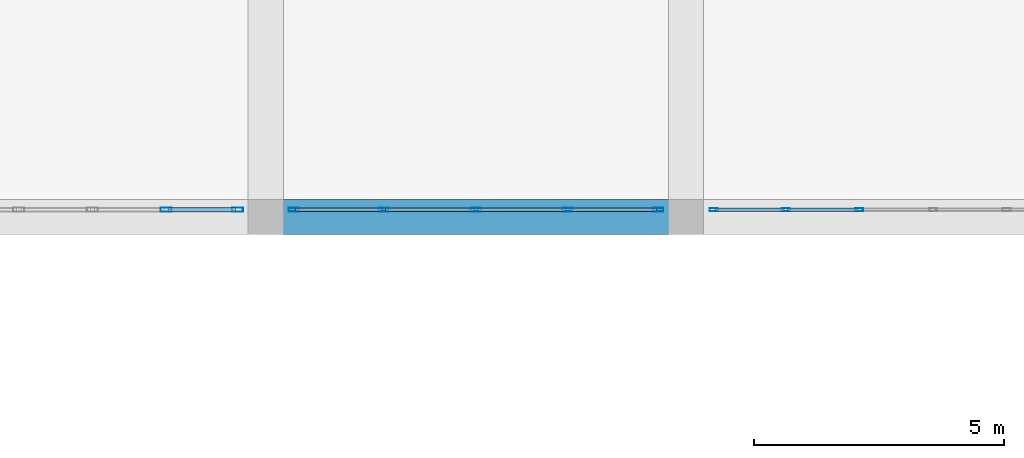
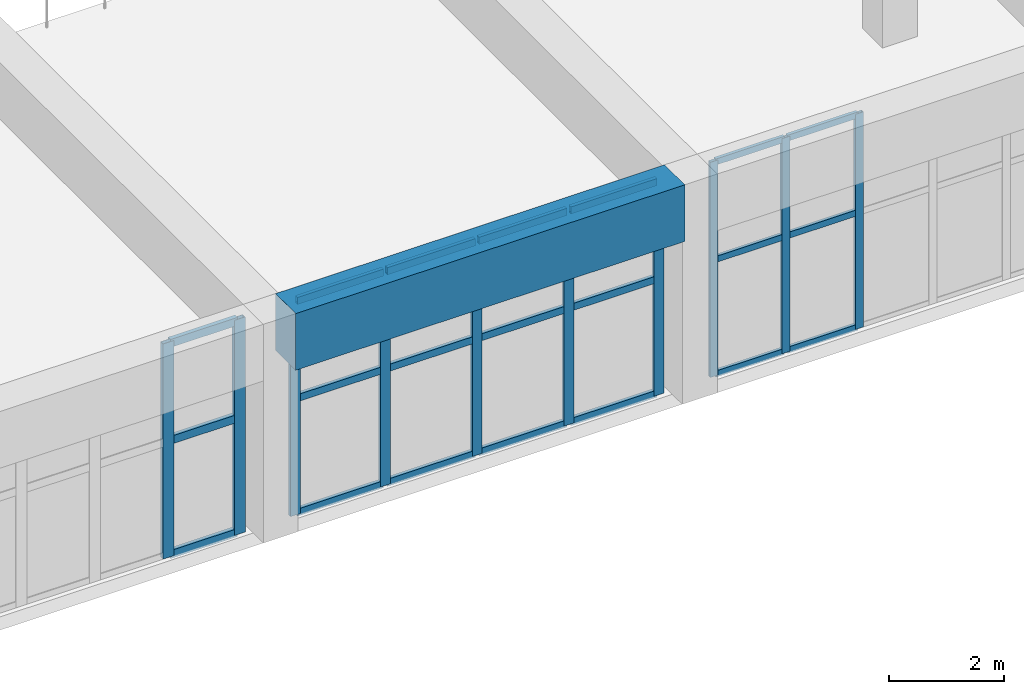
# One storey, part 18 of 72: 31 members, 1 beam, 3 elements without a shape of their own.
"""IFC4 building model written with IfcOpenShell, lengths in metres."""

from ifc_helpers import new_model, si_unit, direction, frame, origin, origin_2d, place, context, subcontext, project, spatial, rectangle, hollow_rectangle, extrude, material, layer, layer_set, material_profile, profile_set, type_object, element, aggregate, save


model = new_model("IFC4")

# Units and contexts
model_context = context("Model", 3, precision=1e-05, world=origin(), true_north=direction((0.0, 1.0)))
body_context = subcontext(model_context, "Body", "Model", "MODEL_VIEW")
ifc_project = project(units=[si_unit("LENGTHUNIT", "METRE"), si_unit("AREAUNIT", "SQUARE_METRE"), si_unit("VOLUMEUNIT", "CUBIC_METRE"), si_unit("PLANEANGLEUNIT", "RADIAN"), si_unit("MASSUNIT", "GRAM", prefix="KILO")], contexts=[model_context])

# Site, building, storey
site_placement = place(None, origin())
site = spatial("IfcSite", under=ifc_project, at=site_placement, CompositionType="ELEMENT")
building_placement = place(site_placement, origin())
building = spatial("IfcBuilding", under=site, at=building_placement, Name="Xicomal Pleat Aquarium", CompositionType="ELEMENT")
storey_placement = place(building_placement, frame((0.0, 0.0, 10.5)))
storey = spatial("IfcBuildingStorey", under=building, at=storey_placement, Name="L03", CompositionType="ELEMENT", Elevation=10.5)

# Beam
ifc_material_1 = material(Name="Concrete C45/55", Category="concrete")
ifc_material_profile_1 = material_profile(ifc_material_1, rectangle(XDim=0.699951171875, YDim=1.199951171875, at=origin_2d()), Name="RC 700x1200")
ifc_profile_set_1 = profile_set([ifc_material_profile_1], Name="Concrete C45/55")
beam_type = type_object("IfcBeamType", Name="BM-RC-700x1200", PredefinedType="SPANDREL", material=ifc_profile_set_1)
beam_placement = place(storey_placement, frame((69.300048828125, 30.39990234375, 4.034912109375), z_axis=(1.0, 0.0, 0.0), x_axis=(0.0, 1.0, 0.0)))
element("IfcBeam", 1, at=beam_placement, inside=storey, type_object=beam_type, Name="Ocean hall shell edge girder 09-10/E", PredefinedType="SPANDREL", context=body_context, shape_type="SweptSolid", body=[
    extrude(rectangle(XDim=0.699951171875, YDim=1.199951171875, at=origin_2d()), origin(), (0.0, 0.0, 1.0), 7.800048828125),
])

# Curtain wall, members
ifc_material_2 = material(Name="Bronze anodized aluminium 6063-T6", Category="aluminium")
ifc_layer_1 = layer(ifc_material_2, 0.159912109375)
ifc_layer_set_1 = layer_set([ifc_layer_1], Name="Bronze anodized aluminium 6063-T6")
curtain_wall_type_1 = type_object("IfcCurtainWallType", Name="CW-SYS-03", PredefinedType="NOTDEFINED", material=ifc_layer_set_1)
curtain_wall_1_placement = place(storey_placement, origin())
curtain_wall_1 = element("IfcCurtainWall", 2, at=curtain_wall_1_placement, inside=storey, type_object=curtain_wall_type_1, Name="L03 unitised curtain wall CW-L03-165", PredefinedType="NOTDEFINED")
ifc_material_3 = material(Name="Bronze anodized aluminium 6063-T6", Category="aluminium")
ifc_material_profile_2 = material_profile(ifc_material_3, hollow_rectangle(XDim=0.06494140625, YDim=0.159912109375, WallThickness=0.00390625, at=origin_2d()), Name="ALU MULL 65x160")
ifc_profile_set_2 = profile_set([ifc_material_profile_2], Name="Bronze anodized aluminium 6063-T6")
member_type_1 = type_object("IfcMemberType", Name="CWM-65x160", PredefinedType="MULLION", material=ifc_profile_set_2)
member_1_placement = place(storey_placement, frame((80.864013671875, 30.5400390625, 0.0), z_axis=(0.0, 0.0, 1.0), x_axis=(0.0, -1.0, 0.0)))
member_1 = element("IfcMember", 3, at=member_1_placement, type_object=member_type_1, Name="CW-03 mullion 4", PredefinedType="MULLION", context=body_context, shape_type="SweptSolid", body=[
    extrude(hollow_rectangle(XDim=0.06494140625, YDim=0.159912109375, WallThickness=0.00390625, at=origin_2d()), origin(), (0.0, 0.0, 1.0), 4.56005859375),
])
member_2_placement = place(storey_placement, frame((79.39208984375, 30.5400390625, 0.0), z_axis=(0.0, 0.0, 1.0), x_axis=(0.0, -1.0, 0.0)))
member_2 = element("IfcMember", 4, at=member_2_placement, type_object=member_type_1, Name="CW-03 mullion 5", PredefinedType="MULLION", context=body_context, shape_type="SweptSolid", body=[
    extrude(hollow_rectangle(XDim=0.06494140625, YDim=0.159912109375, WallThickness=0.00390625, at=origin_2d()), origin(), (0.0, 0.0, 1.0), 4.56005859375),
])
member_3_placement = place(storey_placement, frame((77.952392578125, 30.5400390625, 0.0), z_axis=(0.0, 0.0, 1.0), x_axis=(0.0, -1.0, 0.0)))
member_3 = element("IfcMember", 5, at=member_3_placement, type_object=member_type_1, Name="CW-03 mullion 6", PredefinedType="MULLION", context=body_context, shape_type="SweptSolid", body=[
    extrude(hollow_rectangle(XDim=0.06494140625, YDim=0.159912109375, WallThickness=0.00390625, at=origin_2d()), origin(), (0.0, 0.0, 1.0), 4.56005859375),
])

ifc_material_4 = material(Name="Bronze anodized aluminium 6063-T6", Category="aluminium")
ifc_layer_2 = layer(ifc_material_4, 0.159912109375)
ifc_layer_set_2 = layer_set([ifc_layer_2], Name="Bronze anodized aluminium 6063-T6")
curtain_wall_type_2 = type_object("IfcCurtainWallType", Name="CW-SYS-08", PredefinedType="NOTDEFINED", material=ifc_layer_set_2)
curtain_wall_2_placement = place(storey_placement, origin())
curtain_wall_2 = element("IfcCurtainWall", 6, at=curtain_wall_2_placement, inside=storey, type_object=curtain_wall_type_2, Name="L03 unitised curtain wall CW-L03-166", PredefinedType="NOTDEFINED")
ifc_material_5 = material(Name="Bronze anodized aluminium 6063-T6", Category="aluminium")
ifc_material_profile_3 = material_profile(ifc_material_5, hollow_rectangle(XDim=0.074951171875, YDim=0.199951171875, WallThickness=0.00439453125, at=origin_2d()), Name="ALU MULL 75x200")
ifc_profile_set_3 = profile_set([ifc_material_profile_3], Name="Bronze anodized aluminium 6063-T6")
member_type_2 = type_object("IfcMemberType", Name="CWM-75x200", PredefinedType="MULLION", material=ifc_profile_set_3)
member_4_placement = place(storey_placement, frame((76.842529296875, 30.5400390625, 0.0), z_axis=(0.0, 0.0, 1.0), x_axis=(0.0, -1.0, 0.0)))
member_4 = element("IfcMember", 7, at=member_4_placement, type_object=member_type_2, Name="CW-08 mullion 1", PredefinedType="MULLION", context=body_context, shape_type="SweptSolid", body=[
    extrude(hollow_rectangle(XDim=0.074951171875, YDim=0.199951171875, WallThickness=0.00439453125, at=origin_2d()), origin(), (0.0, 0.0, 1.0), 4.56005859375),
])
member_5_placement = place(storey_placement, frame((75.0400390625, 30.5400390625, 0.0), z_axis=(0.0, 0.0, 1.0), x_axis=(0.0, -1.0, 0.0)))
member_5 = element("IfcMember", 8, at=member_5_placement, type_object=member_type_2, Name="CW-08 mullion 2", PredefinedType="MULLION", context=body_context, shape_type="SweptSolid", body=[
    extrude(hollow_rectangle(XDim=0.074951171875, YDim=0.199951171875, WallThickness=0.00439453125, at=origin_2d()), origin(), (0.0, 0.0, 1.0), 4.56005859375),
])
member_6_placement = place(storey_placement, frame((73.199951171875, 30.5400390625, 0.0), z_axis=(0.0, 0.0, 1.0), x_axis=(0.0, -1.0, 0.0)))
member_6 = element("IfcMember", 9, at=member_6_placement, type_object=member_type_2, Name="CW-08 mullion 3", PredefinedType="MULLION", context=body_context, shape_type="SweptSolid", body=[
    extrude(hollow_rectangle(XDim=0.074951171875, YDim=0.199951171875, WallThickness=0.00439453125, at=origin_2d()), origin(), (0.0, 0.0, 1.0), 4.56005859375),
])
member_7_placement = place(storey_placement, frame((71.360107421875, 30.5400390625, 0.0), z_axis=(0.0, 0.0, 1.0), x_axis=(0.0, -1.0, 0.0)))
member_7 = element("IfcMember", 10, at=member_7_placement, type_object=member_type_2, Name="CW-08 mullion 4", PredefinedType="MULLION", context=body_context, shape_type="SweptSolid", body=[
    extrude(hollow_rectangle(XDim=0.074951171875, YDim=0.199951171875, WallThickness=0.00439453125, at=origin_2d()), origin(), (0.0, 0.0, 1.0), 4.56005859375),
])
member_8_placement = place(storey_placement, frame((69.5576171875, 30.5400390625, 0.0), z_axis=(0.0, 0.0, 1.0), x_axis=(0.0, -1.0, 0.0)))
member_8 = element("IfcMember", 11, at=member_8_placement, type_object=member_type_2, Name="CW-08 mullion 5", PredefinedType="MULLION", context=body_context, shape_type="SweptSolid", body=[
    extrude(hollow_rectangle(XDim=0.074951171875, YDim=0.199951171875, WallThickness=0.00439453125, at=origin_2d()), origin(), (0.0, 0.0, 1.0), 4.56005859375),
])

curtain_wall_3_placement = place(storey_placement, origin())
curtain_wall_3 = element("IfcCurtainWall", 12, at=curtain_wall_3_placement, inside=storey, type_object=curtain_wall_type_1, Name="L03 unitised curtain wall CW-L03-167", PredefinedType="NOTDEFINED")
ifc_material_6 = material(Name="Bronze anodized aluminium 6063-T6", Category="aluminium")
ifc_material_profile_4 = material_profile(ifc_material_6, hollow_rectangle(XDim=0.0849609375, YDim=0.219970703125, WallThickness=0.0048828125, at=origin_2d()), Name="ALU MULL 85x220")
ifc_profile_set_4 = profile_set([ifc_material_profile_4], Name="Bronze anodized aluminium 6063-T6")
member_type_3 = type_object("IfcMemberType", Name="CWM-85x220", PredefinedType="MULLION", material=ifc_profile_set_4)
member_9_placement = place(storey_placement, frame((68.4375, 30.5400390625, 0.0), z_axis=(0.0, 0.0, 1.0), x_axis=(0.0, -1.0, 0.0)))
member_9 = element("IfcMember", 13, at=member_9_placement, type_object=member_type_3, Name="CW-03 mullion 1", PredefinedType="MULLION", context=body_context, shape_type="SweptSolid", body=[
    extrude(hollow_rectangle(XDim=0.0849609375, YDim=0.219970703125, WallThickness=0.0048828125, at=origin_2d()), origin(), (0.0, 0.0, 1.0), 4.56005859375),
])
member_10_placement = place(storey_placement, frame((67.008056640625, 30.5400390625, 0.0), z_axis=(0.0, 0.0, 1.0), x_axis=(0.0, -1.0, 0.0)))
member_10 = element("IfcMember", 14, at=member_10_placement, type_object=member_type_3, Name="CW-03 mullion 2", PredefinedType="MULLION", context=body_context, shape_type="SweptSolid", body=[
    extrude(hollow_rectangle(XDim=0.0849609375, YDim=0.219970703125, WallThickness=0.0048828125, at=origin_2d()), origin(), (0.0, 0.0, 1.0), 4.56005859375),
])

# Member
ifc_material_7 = material(Name="Bronze anodized aluminium 6063-T6", Category="aluminium")
ifc_material_profile_5 = material_profile(ifc_material_7, hollow_rectangle(XDim=0.06494140625, YDim=0.1298828125, WallThickness=0.00390625, at=origin_2d()), Name="ALU TRAN 65x130")
ifc_profile_set_5 = profile_set([ifc_material_profile_5], Name="Bronze anodized aluminium 6063-T6")
member_type_4 = type_object("IfcMemberType", Name="CWT-65x130", PredefinedType="USERDEFINED", material=ifc_profile_set_5)
member_11_placement = place(storey_placement, frame((80.83154296875, 30.5400390625, 0.032470703125), z_axis=(-1.0, 0.0, 0.0), x_axis=(0.0, -1.0, 0.0)))
member_11 = element("IfcMember", 15, at=member_11_placement, type_object=member_type_4, Name="CW-03 transom 4.1", ObjectType="TRANSOM", PredefinedType="USERDEFINED", context=body_context, shape_type="SweptSolid", body=[
    extrude(hollow_rectangle(XDim=0.06494140625, YDim=0.1298828125, WallThickness=0.00390625, at=origin_2d()), origin(), (0.0, 0.0, 1.0), 1.406982421875),
])

member_12_placement = place(storey_placement, frame((80.83154296875, 30.5400390625, 2.4619140625), z_axis=(-1.0, 0.0, 0.0), x_axis=(0.0, -1.0, 0.0)))
member_12 = element("IfcMember", 16, at=member_12_placement, type_object=member_type_4, Name="CW-03 transom 4.2", ObjectType="TRANSOM", PredefinedType="USERDEFINED", context=body_context, shape_type="SweptSolid", body=[
    extrude(hollow_rectangle(XDim=0.06494140625, YDim=0.1298828125, WallThickness=0.00390625, at=origin_2d()), origin(), (0.0, 0.0, 1.0), 1.406982421875),
])

member_13_placement = place(storey_placement, frame((80.83154296875, 30.5400390625, 4.527587890625), z_axis=(-1.0, 0.0, 0.0), x_axis=(0.0, -1.0, 0.0)))
member_13 = element("IfcMember", 17, at=member_13_placement, type_object=member_type_4, Name="CW-03 transom 4.3", ObjectType="TRANSOM", PredefinedType="USERDEFINED", context=body_context, shape_type="SweptSolid", body=[
    extrude(hollow_rectangle(XDim=0.06494140625, YDim=0.1298828125, WallThickness=0.00390625, at=origin_2d()), origin(), (0.0, 0.0, 1.0), 1.406982421875),
])

member_14_placement = place(storey_placement, frame((79.359619140625, 30.5400390625, 0.032470703125), z_axis=(-1.0, 0.0, 0.0), x_axis=(0.0, -1.0, 0.0)))
member_14 = element("IfcMember", 18, at=member_14_placement, type_object=member_type_4, Name="CW-03 transom 5.1", ObjectType="TRANSOM", PredefinedType="USERDEFINED", context=body_context, shape_type="SweptSolid", body=[
    extrude(hollow_rectangle(XDim=0.06494140625, YDim=0.1298828125, WallThickness=0.00390625, at=origin_2d()), origin(), (0.0, 0.0, 1.0), 1.37451171875),
])

member_15_placement = place(storey_placement, frame((79.359619140625, 30.5400390625, 2.4619140625), z_axis=(-1.0, 0.0, 0.0), x_axis=(0.0, -1.0, 0.0)))
member_15 = element("IfcMember", 19, at=member_15_placement, type_object=member_type_4, Name="CW-03 transom 5.2", ObjectType="TRANSOM", PredefinedType="USERDEFINED", context=body_context, shape_type="SweptSolid", body=[
    extrude(hollow_rectangle(XDim=0.06494140625, YDim=0.1298828125, WallThickness=0.00390625, at=origin_2d()), origin(), (0.0, 0.0, 1.0), 1.37451171875),
])

member_16_placement = place(storey_placement, frame((79.359619140625, 30.5400390625, 4.527587890625), z_axis=(-1.0, 0.0, 0.0), x_axis=(0.0, -1.0, 0.0)))
member_16 = element("IfcMember", 20, at=member_16_placement, type_object=member_type_4, Name="CW-03 transom 5.3", ObjectType="TRANSOM", PredefinedType="USERDEFINED", context=body_context, shape_type="SweptSolid", body=[
    extrude(hollow_rectangle(XDim=0.06494140625, YDim=0.1298828125, WallThickness=0.00390625, at=origin_2d()), origin(), (0.0, 0.0, 1.0), 1.37451171875),
])

aggregate(curtain_wall_1, [member_1, member_2, member_3, member_11, member_12, member_13, member_14, member_15, member_16])

ifc_material_8 = material(Name="Bronze anodized aluminium 6063-T6", Category="aluminium")
ifc_material_profile_6 = material_profile(ifc_material_8, hollow_rectangle(XDim=0.074951171875, YDim=0.14990234375, WallThickness=0.00439453125, at=origin_2d()), Name="ALU TRAN 75x150")
ifc_profile_set_6 = profile_set([ifc_material_profile_6], Name="Bronze anodized aluminium 6063-T6")
member_type_5 = type_object("IfcMemberType", Name="CWT-75x150", PredefinedType="USERDEFINED", material=ifc_profile_set_6)
member_17_placement = place(storey_placement, frame((76.804931640625, 30.5400390625, 0.03759765625), z_axis=(-1.0, 0.0, 0.0), x_axis=(0.0, -1.0, 0.0)))
member_17 = element("IfcMember", 21, at=member_17_placement, type_object=member_type_5, Name="CW-08 transom 1.1", ObjectType="TRANSOM", PredefinedType="USERDEFINED", context=body_context, shape_type="SweptSolid", body=[
    extrude(hollow_rectangle(XDim=0.074951171875, YDim=0.14990234375, WallThickness=0.00439453125, at=origin_2d()), origin(), (0.0, 0.0, 1.0), 1.7275390625),
])

member_18_placement = place(storey_placement, frame((76.804931640625, 30.5400390625, 2.4619140625), z_axis=(-1.0, 0.0, 0.0), x_axis=(0.0, -1.0, 0.0)))
member_18 = element("IfcMember", 22, at=member_18_placement, type_object=member_type_5, Name="CW-08 transom 1.2", ObjectType="TRANSOM", PredefinedType="USERDEFINED", context=body_context, shape_type="SweptSolid", body=[
    extrude(hollow_rectangle(XDim=0.074951171875, YDim=0.14990234375, WallThickness=0.00439453125, at=origin_2d()), origin(), (0.0, 0.0, 1.0), 1.7275390625),
])

member_19_placement = place(storey_placement, frame((76.804931640625, 30.5400390625, 4.5224609375), z_axis=(-1.0, 0.0, 0.0), x_axis=(0.0, -1.0, 0.0)))
member_19 = element("IfcMember", 23, at=member_19_placement, type_object=member_type_5, Name="CW-08 transom 1.3", ObjectType="TRANSOM", PredefinedType="USERDEFINED", context=body_context, shape_type="SweptSolid", body=[
    extrude(hollow_rectangle(XDim=0.074951171875, YDim=0.14990234375, WallThickness=0.00439453125, at=origin_2d()), origin(), (0.0, 0.0, 1.0), 1.7275390625),
])

member_20_placement = place(storey_placement, frame((75.00244140625, 30.5400390625, 0.03759765625), z_axis=(-1.0, 0.0, 0.0), x_axis=(0.0, -1.0, 0.0)))
member_20 = element("IfcMember", 24, at=member_20_placement, type_object=member_type_5, Name="CW-08 transom 2.1", ObjectType="TRANSOM", PredefinedType="USERDEFINED", context=body_context, shape_type="SweptSolid", body=[
    extrude(hollow_rectangle(XDim=0.074951171875, YDim=0.14990234375, WallThickness=0.00439453125, at=origin_2d()), origin(), (0.0, 0.0, 1.0), 1.764892578125),
])

member_21_placement = place(storey_placement, frame((75.00244140625, 30.5400390625, 2.4619140625), z_axis=(-1.0, 0.0, 0.0), x_axis=(0.0, -1.0, 0.0)))
member_21 = element("IfcMember", 25, at=member_21_placement, type_object=member_type_5, Name="CW-08 transom 2.2", ObjectType="TRANSOM", PredefinedType="USERDEFINED", context=body_context, shape_type="SweptSolid", body=[
    extrude(hollow_rectangle(XDim=0.074951171875, YDim=0.14990234375, WallThickness=0.00439453125, at=origin_2d()), origin(), (0.0, 0.0, 1.0), 1.764892578125),
])

member_22_placement = place(storey_placement, frame((75.00244140625, 30.5400390625, 4.5224609375), z_axis=(-1.0, 0.0, 0.0), x_axis=(0.0, -1.0, 0.0)))
member_22 = element("IfcMember", 26, at=member_22_placement, type_object=member_type_5, Name="CW-08 transom 2.3", ObjectType="TRANSOM", PredefinedType="USERDEFINED", context=body_context, shape_type="SweptSolid", body=[
    extrude(hollow_rectangle(XDim=0.074951171875, YDim=0.14990234375, WallThickness=0.00439453125, at=origin_2d()), origin(), (0.0, 0.0, 1.0), 1.764892578125),
])

member_23_placement = place(storey_placement, frame((73.16259765625, 30.5400390625, 0.03759765625), z_axis=(-1.0, 0.0, 0.0), x_axis=(0.0, -1.0, 0.0)))
member_23 = element("IfcMember", 27, at=member_23_placement, type_object=member_type_5, Name="CW-08 transom 3.1", ObjectType="TRANSOM", PredefinedType="USERDEFINED", context=body_context, shape_type="SweptSolid", body=[
    extrude(hollow_rectangle(XDim=0.074951171875, YDim=0.14990234375, WallThickness=0.00439453125, at=origin_2d()), origin(), (0.0, 0.0, 1.0), 1.76513671875),
])

member_24_placement = place(storey_placement, frame((73.16259765625, 30.5400390625, 2.4619140625), z_axis=(-1.0, 0.0, 0.0), x_axis=(0.0, -1.0, 0.0)))
member_24 = element("IfcMember", 28, at=member_24_placement, type_object=member_type_5, Name="CW-08 transom 3.2", ObjectType="TRANSOM", PredefinedType="USERDEFINED", context=body_context, shape_type="SweptSolid", body=[
    extrude(hollow_rectangle(XDim=0.074951171875, YDim=0.14990234375, WallThickness=0.00439453125, at=origin_2d()), origin(), (0.0, 0.0, 1.0), 1.76513671875),
])

member_25_placement = place(storey_placement, frame((73.16259765625, 30.5400390625, 4.5224609375), z_axis=(-1.0, 0.0, 0.0), x_axis=(0.0, -1.0, 0.0)))
member_25 = element("IfcMember", 29, at=member_25_placement, type_object=member_type_5, Name="CW-08 transom 3.3", ObjectType="TRANSOM", PredefinedType="USERDEFINED", context=body_context, shape_type="SweptSolid", body=[
    extrude(hollow_rectangle(XDim=0.074951171875, YDim=0.14990234375, WallThickness=0.00439453125, at=origin_2d()), origin(), (0.0, 0.0, 1.0), 1.76513671875),
])

member_26_placement = place(storey_placement, frame((71.322509765625, 30.5400390625, 0.03759765625), z_axis=(-1.0, 0.0, 0.0), x_axis=(0.0, -1.0, 0.0)))
member_26 = element("IfcMember", 30, at=member_26_placement, type_object=member_type_5, Name="CW-08 transom 4.1", ObjectType="TRANSOM", PredefinedType="USERDEFINED", context=body_context, shape_type="SweptSolid", body=[
    extrude(hollow_rectangle(XDim=0.074951171875, YDim=0.14990234375, WallThickness=0.00439453125, at=origin_2d()), origin(), (0.0, 0.0, 1.0), 1.7275390625),
])

member_27_placement = place(storey_placement, frame((71.322509765625, 30.5400390625, 2.4619140625), z_axis=(-1.0, 0.0, 0.0), x_axis=(0.0, -1.0, 0.0)))
member_27 = element("IfcMember", 31, at=member_27_placement, type_object=member_type_5, Name="CW-08 transom 4.2", ObjectType="TRANSOM", PredefinedType="USERDEFINED", context=body_context, shape_type="SweptSolid", body=[
    extrude(hollow_rectangle(XDim=0.074951171875, YDim=0.14990234375, WallThickness=0.00439453125, at=origin_2d()), origin(), (0.0, 0.0, 1.0), 1.7275390625),
])

member_28_placement = place(storey_placement, frame((71.322509765625, 30.5400390625, 4.5224609375), z_axis=(-1.0, 0.0, 0.0), x_axis=(0.0, -1.0, 0.0)))
member_28 = element("IfcMember", 32, at=member_28_placement, type_object=member_type_5, Name="CW-08 transom 4.3", ObjectType="TRANSOM", PredefinedType="USERDEFINED", context=body_context, shape_type="SweptSolid", body=[
    extrude(hollow_rectangle(XDim=0.074951171875, YDim=0.14990234375, WallThickness=0.00439453125, at=origin_2d()), origin(), (0.0, 0.0, 1.0), 1.7275390625),
])

aggregate(curtain_wall_2, [member_4, member_5, member_6, member_7, member_8, member_17, member_18, member_19, member_20, member_21, member_22, member_23, member_24, member_25, member_26, member_27, member_28])

ifc_material_9 = material(Name="Bronze anodized aluminium 6063-T6", Category="aluminium")
ifc_material_profile_7 = material_profile(ifc_material_9, hollow_rectangle(XDim=0.0849609375, YDim=0.169921875, WallThickness=0.0048828125, at=origin_2d()), Name="ALU TRAN 85x170")
ifc_profile_set_7 = profile_set([ifc_material_profile_7], Name="Bronze anodized aluminium 6063-T6")
member_type_6 = type_object("IfcMemberType", Name="CWT-85x170", PredefinedType="USERDEFINED", material=ifc_profile_set_7)
member_29_placement = place(storey_placement, frame((68.39501953125, 30.5400390625, 0.04248046875), z_axis=(-1.0, 0.0, 0.0), x_axis=(0.0, -1.0, 0.0)))
member_29 = element("IfcMember", 33, at=member_29_placement, type_object=member_type_6, Name="CW-03 transom 1.1", ObjectType="TRANSOM", PredefinedType="USERDEFINED", context=body_context, shape_type="SweptSolid", body=[
    extrude(hollow_rectangle(XDim=0.0849609375, YDim=0.169921875, WallThickness=0.0048828125, at=origin_2d()), origin(), (0.0, 0.0, 1.0), 1.344482421875),
])

member_30_placement = place(storey_placement, frame((68.39501953125, 30.5400390625, 2.4619140625), z_axis=(-1.0, 0.0, 0.0), x_axis=(0.0, -1.0, 0.0)))
member_30 = element("IfcMember", 34, at=member_30_placement, type_object=member_type_6, Name="CW-03 transom 1.2", ObjectType="TRANSOM", PredefinedType="USERDEFINED", context=body_context, shape_type="SweptSolid", body=[
    extrude(hollow_rectangle(XDim=0.0849609375, YDim=0.169921875, WallThickness=0.0048828125, at=origin_2d()), origin(), (0.0, 0.0, 1.0), 1.344482421875),
])

member_31_placement = place(storey_placement, frame((68.39501953125, 30.5400390625, 4.517578125), z_axis=(-1.0, 0.0, 0.0), x_axis=(0.0, -1.0, 0.0)))
member_31 = element("IfcMember", 35, at=member_31_placement, type_object=member_type_6, Name="CW-03 transom 1.3", ObjectType="TRANSOM", PredefinedType="USERDEFINED", context=body_context, shape_type="SweptSolid", body=[
    extrude(hollow_rectangle(XDim=0.0849609375, YDim=0.169921875, WallThickness=0.0048828125, at=origin_2d()), origin(), (0.0, 0.0, 1.0), 1.344482421875),
])

aggregate(curtain_wall_3, [member_9, member_10, member_29, member_30, member_31])

save(model, "model.ifc")
